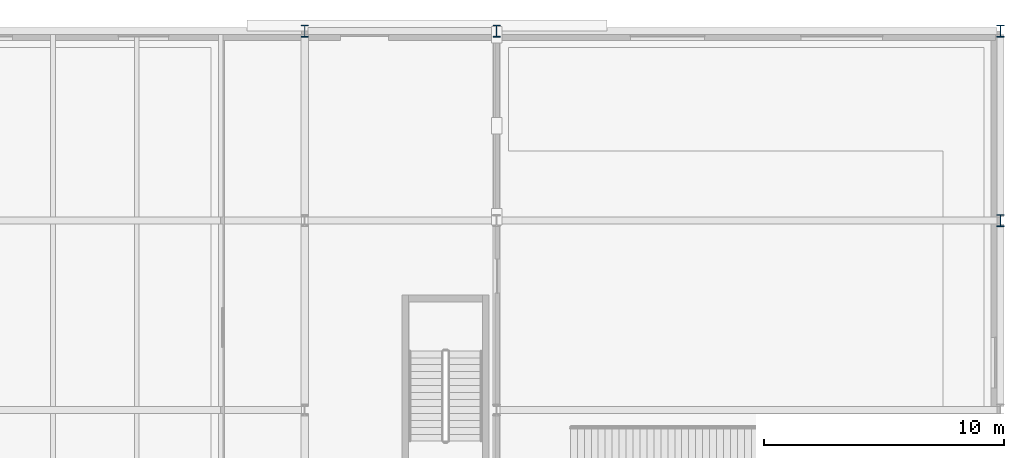
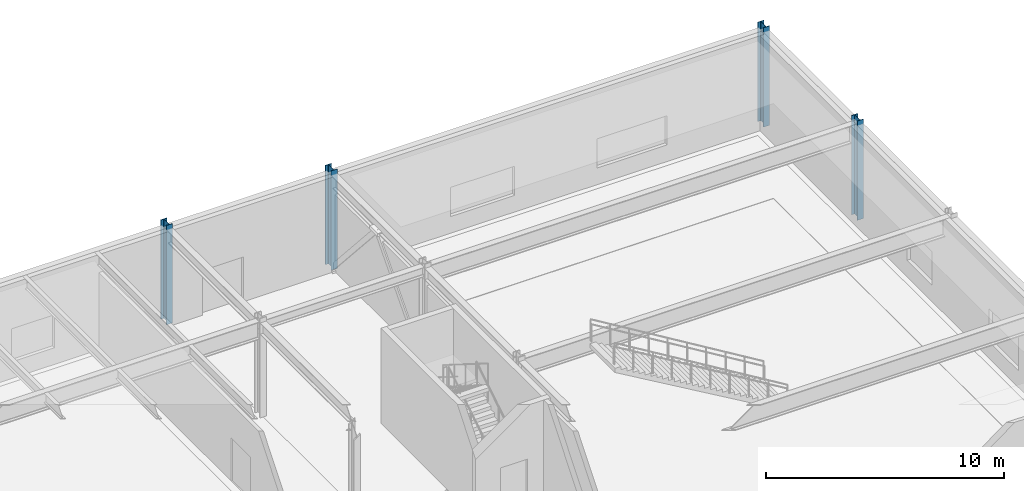
# One storey, part 17 of 97: 4 columns.
"""IFC4 building model written with IfcOpenShell, lengths in metres."""

from ifc_helpers import new_model, si_unit, direction, frame, origin, origin_2d, place, context, subcontext, project, spatial, i_section, extrude, material, material_profile, profile_set, type_object, element, save


model = new_model("IFC4")

# Units and contexts
model_context = context("Model", 3, precision=1e-05, world=origin(), true_north=direction((0.0, 1.0)))
body_context = subcontext(model_context, "Body", "Model", "MODEL_VIEW")
ifc_project = project(units=[si_unit("LENGTHUNIT", "METRE"), si_unit("AREAUNIT", "SQUARE_METRE"), si_unit("VOLUMEUNIT", "CUBIC_METRE"), si_unit("PLANEANGLEUNIT", "RADIAN"), si_unit("MASSUNIT", "GRAM", prefix="KILO")], contexts=[model_context])

# Site, building, storey
site_placement = place(None, origin())
site = spatial("IfcSite", under=ifc_project, at=site_placement, CompositionType="ELEMENT")
building_placement = place(site_placement, origin())
building = spatial("IfcBuilding", under=site, at=building_placement, Name="Varnklinge Art Gallery", CompositionType="ELEMENT")
storey_placement = place(building_placement, origin())
storey = spatial("IfcBuildingStorey", under=building, at=storey_placement, Name="L00", CompositionType="ELEMENT", Elevation=0.0)

# Columns
ifc_material = material(Name="Steel S355", Category="steel")
ifc_material_profile = material_profile(ifc_material, i_section(OverallWidth=0.300048828125, OverallDepth=0.5, WebThickness=0.014404296875, FlangeThickness=0.028076171875, FilletRadius=0.027099609375, at=origin_2d()), Name="HEB 500")
ifc_profile_set = profile_set([ifc_material_profile], Name="Steel S355")
column_type = type_object("IfcColumnType", Name="COL-E1", PredefinedType="COLUMN", material=ifc_profile_set)
for number, where, z_axis, x_axis, name in (
    (1, (135.39990234375, 113.5, 0.0), (0.0, 0.0, 1.0), (1.0, 0.0, 0.0), "L00 Column V1C-2-8"),
    (2, (143.39990234375, 113.5, 0.0), (0.0, 0.0, 1.0), (1.0, 0.0, 0.0), "L00 Column V1C-3-8"),
    (3, (164.39990234375, 105.60009765625, 0.0), (0.0, 0.0, 1.0), (1.0, 0.0, 0.0), "L00 Column V1C-4-7"),
    (4, (164.39990234375, 113.5, 0.0), (0.0, 0.0, 1.0), (1.0, 0.0, 0.0), "L00 Column V1C-4-8"),
):
    element("IfcColumn", number, at=place(storey_placement, frame(where, z_axis=z_axis, x_axis=x_axis)), inside=storey, type_object=column_type, Name=name, PredefinedType="COLUMN", context=body_context, shape_type="SweptSolid", body=[
        extrude(i_section(OverallWidth=0.300048828125, OverallDepth=0.5, WebThickness=0.014404296875, FlangeThickness=0.028076171875, FilletRadius=0.027099609375, at=origin_2d()), origin(), (0.0, 0.0, 1.0), 5.10009765625),
    ])

save(model, "model.ifc")
